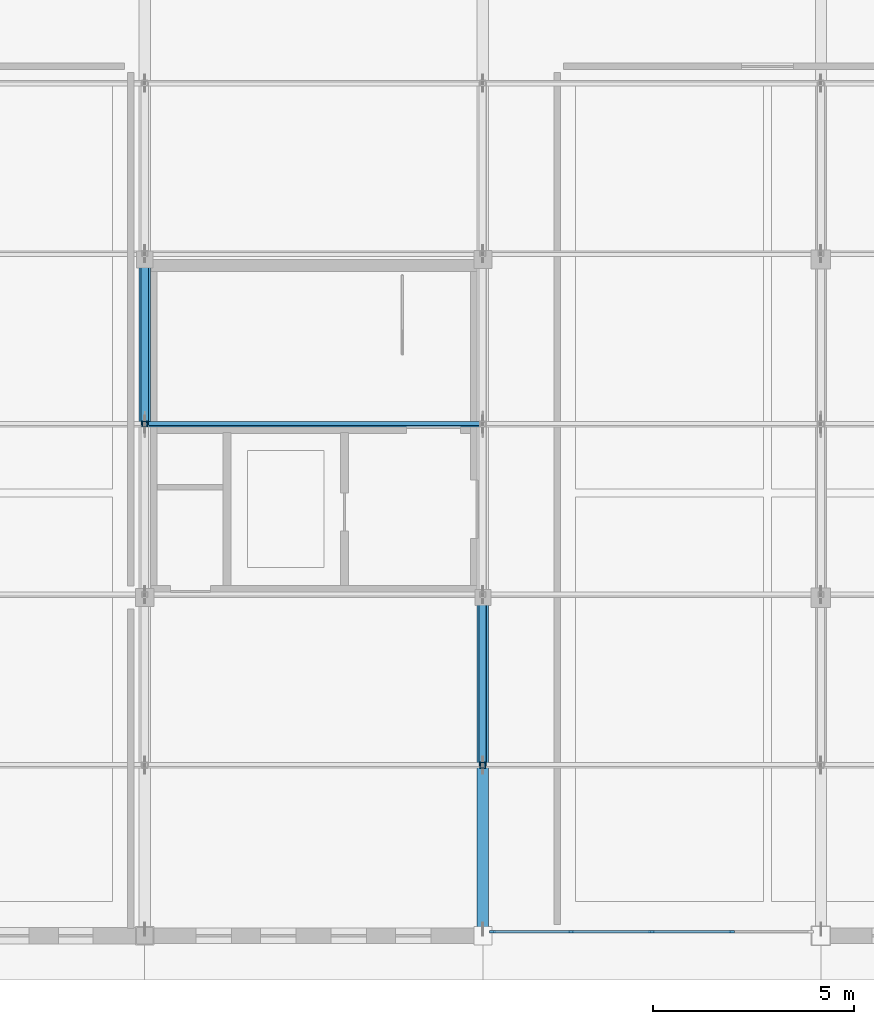
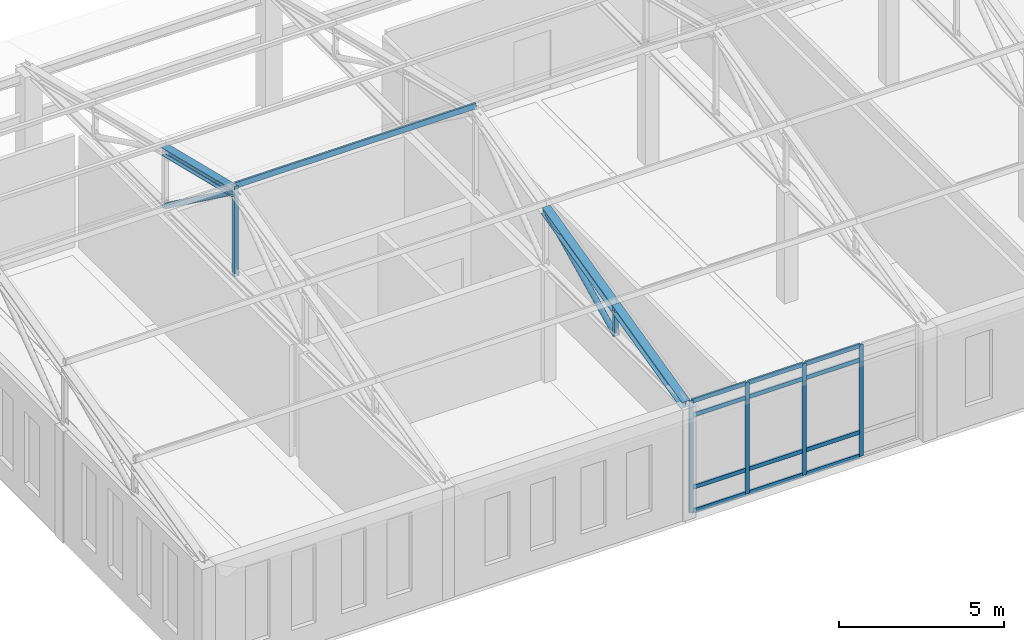
# One storey, part 17 of 192: 24 members, 1 element without a shape of its own.
"""IFC4 building model written with IfcOpenShell, lengths in metres."""

from ifc_helpers import new_model, si_unit, direction, frame, origin, origin_2d, place, context, subcontext, project, spatial, rectangle, hollow_rectangle, hollow_circle, i_section, extrude, material, layer, layer_set, material_profile, profile_set, type_object, element, aggregate, save


model = new_model("IFC4")

# Units and contexts
model_context = context("Model", 3, precision=1e-05, world=origin(), true_north=direction((0.0, 1.0)))
body_context = subcontext(model_context, "Body", "Model", "MODEL_VIEW")
ifc_project = project(units=[si_unit("LENGTHUNIT", "METRE"), si_unit("AREAUNIT", "SQUARE_METRE"), si_unit("VOLUMEUNIT", "CUBIC_METRE"), si_unit("PLANEANGLEUNIT", "RADIAN"), si_unit("MASSUNIT", "GRAM", prefix="KILO")], contexts=[model_context])

# Site, building, storey
site_placement = place(None, origin())
site = spatial("IfcSite", under=ifc_project, at=site_placement, CompositionType="ELEMENT")
building_placement = place(site_placement, origin())
building = spatial("IfcBuilding", under=site, at=building_placement, Name="Kveldsbrygga Polytechnic", CompositionType="ELEMENT")
storey_placement = place(building_placement, frame((0.0, 0.0, 5.43994140625)))
storey = spatial("IfcBuildingStorey", under=building, at=storey_placement, Name="L01", CompositionType="ELEMENT", Elevation=5.43994140625)

# Curtain wall, members
ifc_material_1 = material(Name="Anodised aluminium AW-6060", Category="aluminium")
ifc_layer = layer(ifc_material_1, 0.199951171875)
ifc_layer_set = layer_set([ifc_layer], Name="Anodised aluminium AW-6060")
curtain_wall_type = type_object("IfcCurtainWallType", Name="CW-LANC-E", PredefinedType="USERDEFINED", material=ifc_layer_set)
curtain_wall_placement = place(storey_placement, origin())
curtain_wall = element("IfcCurtainWall", 1, at=curtain_wall_placement, inside=storey, type_object=curtain_wall_type, Name="Curtain Wall CW-L01-X-02-00", ObjectType="UNITISED CURTAIN WALL", PredefinedType="USERDEFINED")
ifc_material_profile_1 = material_profile(ifc_material_1, rectangle(XDim=0.06005859375, YDim=0.139892578125, at=origin_2d()), Name="ALU 60x140")
ifc_profile_set_1 = profile_set([ifc_material_profile_1], Name="Anodised aluminium AW-6060")
member_type_1 = type_object("IfcMemberType", Name="CW-MUL-140", PredefinedType="MULLION", material=ifc_profile_set_1)
member_1_placement = place(storey_placement, frame((17.0400390625, 0.10009765625, 0.0), z_axis=(0.0, 0.0, 1.0), x_axis=(0.0, 1.0, 0.0)))
member_1 = element("IfcMember", 2, at=member_1_placement, type_object=member_type_1, Name="CW-05 mullion 1", PredefinedType="MULLION", context=body_context, shape_type="SweptSolid", body=[
    extrude(rectangle(XDim=0.06005859375, YDim=0.139892578125, at=origin_2d()), origin(), (0.0, 0.0, 1.0), 4.1201171875),
])
member_2_placement = place(storey_placement, frame((19.001220703125, 0.10009765625, 0.0), z_axis=(0.0, 0.0, 1.0), x_axis=(0.0, 1.0, 0.0)))
member_2 = element("IfcMember", 3, at=member_2_placement, type_object=member_type_1, Name="CW-05 mullion 2", PredefinedType="MULLION", context=body_context, shape_type="SweptSolid", body=[
    extrude(rectangle(XDim=0.06005859375, YDim=0.139892578125, at=origin_2d()), origin(), (0.0, 0.0, 1.0), 4.1201171875),
])
member_3_placement = place(storey_placement, frame((20.992431640625, 0.10009765625, 0.0), z_axis=(0.0, 0.0, 1.0), x_axis=(0.0, 1.0, 0.0)))
member_3 = element("IfcMember", 4, at=member_3_placement, type_object=member_type_1, Name="CW-05 mullion 3", PredefinedType="MULLION", context=body_context, shape_type="SweptSolid", body=[
    extrude(rectangle(XDim=0.06005859375, YDim=0.139892578125, at=origin_2d()), origin(), (0.0, 0.0, 1.0), 4.1201171875),
])
member_4_placement = place(storey_placement, frame((22.983642578125, 0.10009765625, 0.0), z_axis=(0.0, 0.0, 1.0), x_axis=(0.0, 1.0, 0.0)))
member_4 = element("IfcMember", 5, at=member_4_placement, type_object=member_type_1, Name="CW-05 mullion 4", PredefinedType="MULLION", context=body_context, shape_type="SweptSolid", body=[
    extrude(rectangle(XDim=0.06005859375, YDim=0.139892578125, at=origin_2d()), origin(), (0.0, 0.0, 1.0), 4.1201171875),
])
ifc_material_profile_2 = material_profile(ifc_material_1, rectangle(XDim=0.06005859375, YDim=0.14990234375, at=origin_2d()), Name="ALU 60x150")
ifc_profile_set_2 = profile_set([ifc_material_profile_2], Name="Anodised aluminium AW-6060")
member_type_2 = type_object("IfcMemberType", Name="CW-TRN-150", PredefinedType="USERDEFINED", material=ifc_profile_set_2)
member_5_placement = place(storey_placement, frame((17.070068359375, 0.10009765625, 0.030029296875), z_axis=(1.0, 0.0, 0.0), x_axis=(0.0, 1.0, 0.0)))
member_5 = element("IfcMember", 6, at=member_5_placement, type_object=member_type_2, Name="CW-05 transom 1.1", ObjectType="TRANSOM", PredefinedType="USERDEFINED", context=body_context, shape_type="SweptSolid", body=[
    extrude(rectangle(XDim=0.06005859375, YDim=0.14990234375, at=origin_2d()), origin(), (0.0, 0.0, 1.0), 1.901123046875),
])
member_6_placement = place(storey_placement, frame((17.070068359375, 0.10009765625, 0.900146484375), z_axis=(1.0, 0.0, 0.0), x_axis=(0.0, 1.0, 0.0)))
member_6 = element("IfcMember", 7, at=member_6_placement, type_object=member_type_2, Name="CW-05 transom 1.2", ObjectType="TRANSOM", PredefinedType="USERDEFINED", context=body_context, shape_type="SweptSolid", body=[
    extrude(rectangle(XDim=0.06005859375, YDim=0.14990234375, at=origin_2d()), origin(), (0.0, 0.0, 1.0), 1.901123046875),
])
member_7_placement = place(storey_placement, frame((17.070068359375, 0.10009765625, 3.570068359375), z_axis=(1.0, 0.0, 0.0), x_axis=(0.0, 1.0, 0.0)))
member_7 = element("IfcMember", 8, at=member_7_placement, type_object=member_type_2, Name="CW-05 transom 1.3", ObjectType="TRANSOM", PredefinedType="USERDEFINED", context=body_context, shape_type="SweptSolid", body=[
    extrude(rectangle(XDim=0.06005859375, YDim=0.14990234375, at=origin_2d()), origin(), (0.0, 0.0, 1.0), 1.901123046875),
])
member_8_placement = place(storey_placement, frame((17.070068359375, 0.10009765625, 4.090087890625), z_axis=(1.0, 0.0, 0.0), x_axis=(0.0, 1.0, 0.0)))
member_8 = element("IfcMember", 9, at=member_8_placement, type_object=member_type_2, Name="CW-05 transom 1.4", ObjectType="TRANSOM", PredefinedType="USERDEFINED", context=body_context, shape_type="SweptSolid", body=[
    extrude(rectangle(XDim=0.06005859375, YDim=0.14990234375, at=origin_2d()), origin(), (0.0, 0.0, 1.0), 1.901123046875),
])
member_9_placement = place(storey_placement, frame((19.03125, 0.10009765625, 0.030029296875), z_axis=(1.0, 0.0, 0.0), x_axis=(0.0, 1.0, 0.0)))
member_9 = element("IfcMember", 10, at=member_9_placement, type_object=member_type_2, Name="CW-05 transom 2.1", ObjectType="TRANSOM", PredefinedType="USERDEFINED", context=body_context, shape_type="SweptSolid", body=[
    extrude(rectangle(XDim=0.06005859375, YDim=0.14990234375, at=origin_2d()), origin(), (0.0, 0.0, 1.0), 1.93115234375),
])
member_10_placement = place(storey_placement, frame((19.03125, 0.10009765625, 0.900146484375), z_axis=(1.0, 0.0, 0.0), x_axis=(0.0, 1.0, 0.0)))
member_10 = element("IfcMember", 11, at=member_10_placement, type_object=member_type_2, Name="CW-05 transom 2.2", ObjectType="TRANSOM", PredefinedType="USERDEFINED", context=body_context, shape_type="SweptSolid", body=[
    extrude(rectangle(XDim=0.06005859375, YDim=0.14990234375, at=origin_2d()), origin(), (0.0, 0.0, 1.0), 1.93115234375),
])
member_11_placement = place(storey_placement, frame((19.03125, 0.10009765625, 3.570068359375), z_axis=(1.0, 0.0, 0.0), x_axis=(0.0, 1.0, 0.0)))
member_11 = element("IfcMember", 12, at=member_11_placement, type_object=member_type_2, Name="CW-05 transom 2.3", ObjectType="TRANSOM", PredefinedType="USERDEFINED", context=body_context, shape_type="SweptSolid", body=[
    extrude(rectangle(XDim=0.06005859375, YDim=0.14990234375, at=origin_2d()), origin(), (0.0, 0.0, 1.0), 1.93115234375),
])
member_12_placement = place(storey_placement, frame((19.03125, 0.10009765625, 4.090087890625), z_axis=(1.0, 0.0, 0.0), x_axis=(0.0, 1.0, 0.0)))
member_12 = element("IfcMember", 13, at=member_12_placement, type_object=member_type_2, Name="CW-05 transom 2.4", ObjectType="TRANSOM", PredefinedType="USERDEFINED", context=body_context, shape_type="SweptSolid", body=[
    extrude(rectangle(XDim=0.06005859375, YDim=0.14990234375, at=origin_2d()), origin(), (0.0, 0.0, 1.0), 1.93115234375),
])
member_13_placement = place(storey_placement, frame((21.0224609375, 0.10009765625, 0.030029296875), z_axis=(1.0, 0.0, 0.0), x_axis=(0.0, 1.0, 0.0)))
member_13 = element("IfcMember", 14, at=member_13_placement, type_object=member_type_2, Name="CW-05 transom 3.1", ObjectType="TRANSOM", PredefinedType="USERDEFINED", context=body_context, shape_type="SweptSolid", body=[
    extrude(rectangle(XDim=0.06005859375, YDim=0.14990234375, at=origin_2d()), origin(), (0.0, 0.0, 1.0), 1.931396484375),
])
member_14_placement = place(storey_placement, frame((21.0224609375, 0.10009765625, 0.900146484375), z_axis=(1.0, 0.0, 0.0), x_axis=(0.0, 1.0, 0.0)))
member_14 = element("IfcMember", 15, at=member_14_placement, type_object=member_type_2, Name="CW-05 transom 3.2", ObjectType="TRANSOM", PredefinedType="USERDEFINED", context=body_context, shape_type="SweptSolid", body=[
    extrude(rectangle(XDim=0.06005859375, YDim=0.14990234375, at=origin_2d()), origin(), (0.0, 0.0, 1.0), 1.931396484375),
])
member_15_placement = place(storey_placement, frame((21.0224609375, 0.10009765625, 3.570068359375), z_axis=(1.0, 0.0, 0.0), x_axis=(0.0, 1.0, 0.0)))
member_15 = element("IfcMember", 16, at=member_15_placement, type_object=member_type_2, Name="CW-05 transom 3.3", ObjectType="TRANSOM", PredefinedType="USERDEFINED", context=body_context, shape_type="SweptSolid", body=[
    extrude(rectangle(XDim=0.06005859375, YDim=0.14990234375, at=origin_2d()), origin(), (0.0, 0.0, 1.0), 1.931396484375),
])
member_16_placement = place(storey_placement, frame((21.0224609375, 0.10009765625, 4.090087890625), z_axis=(1.0, 0.0, 0.0), x_axis=(0.0, 1.0, 0.0)))
member_16 = element("IfcMember", 17, at=member_16_placement, type_object=member_type_2, Name="CW-05 transom 3.4", ObjectType="TRANSOM", PredefinedType="USERDEFINED", context=body_context, shape_type="SweptSolid", body=[
    extrude(rectangle(XDim=0.06005859375, YDim=0.14990234375, at=origin_2d()), origin(), (0.0, 0.0, 1.0), 1.931396484375),
])
aggregate(curtain_wall, [member_1, member_2, member_3, member_4, member_5, member_6, member_7, member_8, member_9, member_10, member_11, member_12, member_13, member_14, member_15, member_16])

# Members
ifc_material_2 = material(Name="Steel S355", Category="steel")
ifc_material_profile_3 = material_profile(ifc_material_2, hollow_rectangle(XDim=0.10009765625, YDim=0.179931640625, WallThickness=0.008056640625, at=origin_2d()), Name="RHS 180x100x8.0")
ifc_profile_set_3 = profile_set([ifc_material_profile_3], Name="Steel S355")
member_type_3 = type_object("IfcMemberType", Name="PRL-RHS180", PredefinedType="PURLIN", material=ifc_profile_set_3)
member_17_placement = place(storey_placement, frame((8.39990234375, 12.7099609375, 7.456787109375), z_axis=(1.0, 0.0, 0.0), x_axis=(0.0, 0.971520177509, -0.236956841415)))
element("IfcMember", 18, at=member_17_placement, inside=storey, type_object=member_type_3, Name="Roof Purlin V5S-PRL-2-3", PredefinedType="PURLIN", context=body_context, shape_type="SweptSolid", body=[
    extrude(hollow_rectangle(XDim=0.10009765625, YDim=0.179931640625, WallThickness=0.008056640625, at=origin_2d()), origin(), (0.0, 0.0, 1.0), 8.400146484375),
])
ifc_material_profile_4 = material_profile(ifc_material_2, hollow_circle(Radius=0.096923828125, WallThickness=0.010009765625, at=origin_2d()), Name="CHS 193.7x10.0")
ifc_profile_set_4 = profile_set([ifc_material_profile_4], Name="Steel S355")
member_type_4 = type_object("IfcMemberType", Name="TR-DIAG-CHS194", PredefinedType="BRACE", material=ifc_profile_set_4)
member_18_placement = place(storey_placement, frame((8.39990234375, 12.7099609375, 7.219970703125), z_axis=(0.0, 0.807053568691, -0.590478227594), x_axis=(-1.0, 0.0, 0.0)))
element("IfcMember", 19, at=member_18_placement, inside=storey, type_object=member_type_4, Name="Truss Diagonal V5S-T02-DG-4", PredefinedType="BRACE", context=body_context, shape_type="SweptSolid", body=[
    extrude(hollow_circle(Radius=0.096923828125, WallThickness=0.010009765625, at=origin_2d()), origin(), (0.0, 0.0, 1.0), 5.249755859375),
])
member_19_placement = place(storey_placement, frame((16.800048828125, 4.236572265625, 4.1201171875), z_axis=(0.0, 0.898775911737, 0.438408326199), x_axis=(-1.0, 0.0, 0.0)))
element("IfcMember", 20, at=member_19_placement, inside=storey, type_object=member_type_4, Name="Truss Diagonal V5S-T03-DG-2", PredefinedType="BRACE", context=body_context, shape_type="SweptSolid", body=[
    extrude(hollow_circle(Radius=0.096923828125, WallThickness=0.010009765625, at=origin_2d()), origin(), (0.0, 0.0, 1.0), 4.7138671875),
])
ifc_material_profile_5 = material_profile(ifc_material_2, hollow_rectangle(XDim=0.139892578125, YDim=0.139892578125, WallThickness=0.008056640625, at=origin_2d()), Name="SHS 140x140x8.0")
ifc_profile_set_5 = profile_set([ifc_material_profile_5], Name="Steel S355")
member_type_5 = type_object("IfcMemberType", Name="TR-POST-SHS140", PredefinedType="STRUT", material=ifc_profile_set_5)
member_20_placement = place(storey_placement, frame((8.39990234375, 12.7099609375, 4.1201171875), z_axis=(0.0, 0.0, 1.0), x_axis=(1.0, 0.0, 0.0)))
element("IfcMember", 21, at=member_20_placement, inside=storey, type_object=member_type_5, Name="Truss Vertical V5S-T02-VT-3", PredefinedType="STRUT", context=body_context, shape_type="SweptSolid", body=[
    extrude(hollow_rectangle(XDim=0.139892578125, YDim=0.139892578125, WallThickness=0.008056640625, at=origin_2d()), origin(), (0.0, 0.0, 1.0), 3.336669921875),
])
member_21_placement = place(storey_placement, frame((16.800048828125, 4.236572265625, 4.1201171875), z_axis=(0.0, 0.0, 1.0), x_axis=(1.0, 0.0, 0.0)))
element("IfcMember", 22, at=member_21_placement, inside=storey, type_object=member_type_5, Name="Truss Vertical V5S-T03-VT-1", PredefinedType="STRUT", context=body_context, shape_type="SweptSolid", body=[
    extrude(hollow_rectangle(XDim=0.139892578125, YDim=0.139892578125, WallThickness=0.008056640625, at=origin_2d()), origin(), (0.0, 0.0, 1.0), 1.033203125),
])
ifc_material_profile_6 = material_profile(ifc_material_2, i_section(OverallWidth=0.280029296875, OverallDepth=0.280029296875, WebThickness=0.010498046875, FlangeThickness=0.01806640625, FilletRadius=0.02392578125, at=origin_2d()), Name="HEB 280")
ifc_profile_set_6 = profile_set([ifc_material_profile_6], Name="Steel S355")
member_type_6 = type_object("IfcMemberType", Name="TR-TOP-HEB280", PredefinedType="CHORD", material=ifc_profile_set_6)
member_22_placement = place(storey_placement, frame((8.39990234375, 12.7099609375, 7.219970703125), z_axis=(0.0, 0.971529139484, -0.236920094405), x_axis=(-1.0, 0.0, 0.0)))
element("IfcMember", 23, at=member_22_placement, inside=storey, type_object=member_type_6, Name="Truss Top Chord V5S-T02-TC-4", PredefinedType="CHORD", context=body_context, shape_type="SweptSolid", body=[
    extrude(i_section(OverallWidth=0.280029296875, OverallDepth=0.280029296875, WebThickness=0.010498046875, FlangeThickness=0.01806640625, FilletRadius=0.02392578125, at=origin_2d()), origin(), (0.0, 0.0, 1.0), 4.361083984375),
])
member_23_placement = place(storey_placement, frame((16.800048828125, 0.0, 4.1201171875), z_axis=(0.0, 0.971525996838, 0.236932980961), x_axis=(-1.0, 0.0, 0.0)))
element("IfcMember", 24, at=member_23_placement, inside=storey, type_object=member_type_6, Name="Truss Top Chord V5S-T03-TC-1", PredefinedType="CHORD", context=body_context, shape_type="SweptSolid", body=[
    extrude(i_section(OverallWidth=0.280029296875, OverallDepth=0.280029296875, WebThickness=0.010498046875, FlangeThickness=0.01806640625, FilletRadius=0.02392578125, at=origin_2d()), origin(), (0.0, 0.0, 1.0), 4.36083984375),
])
member_24_placement = place(storey_placement, frame((16.800048828125, 4.236572265625, 5.1533203125), z_axis=(0.0, 0.971516252342, 0.236972933973), x_axis=(-1.0, 0.0, 0.0)))
element("IfcMember", 25, at=member_24_placement, inside=storey, type_object=member_type_6, Name="Truss Top Chord V5S-T03-TC-2", PredefinedType="CHORD", context=body_context, shape_type="SweptSolid", body=[
    extrude(i_section(OverallWidth=0.280029296875, OverallDepth=0.280029296875, WebThickness=0.010498046875, FlangeThickness=0.01806640625, FilletRadius=0.02392578125, at=origin_2d()), origin(), (0.0, 0.0, 1.0), 4.361083984375),
])

save(model, "model.ifc")
